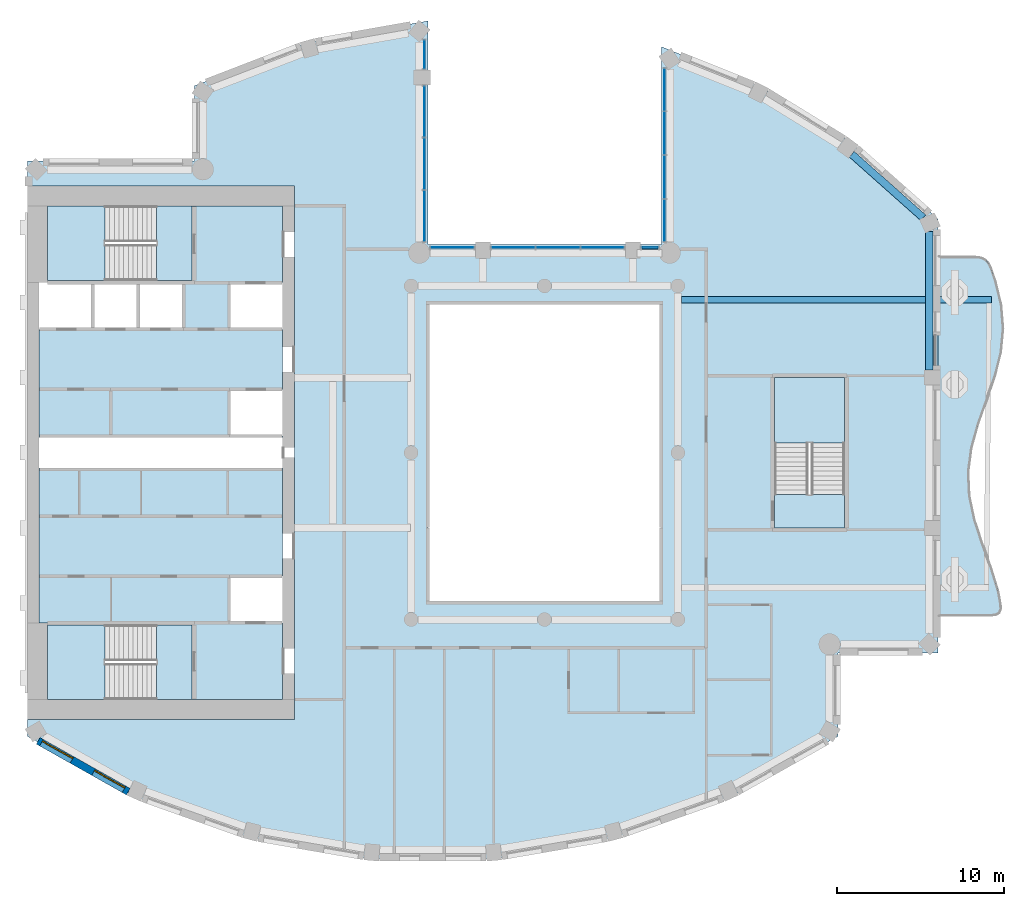
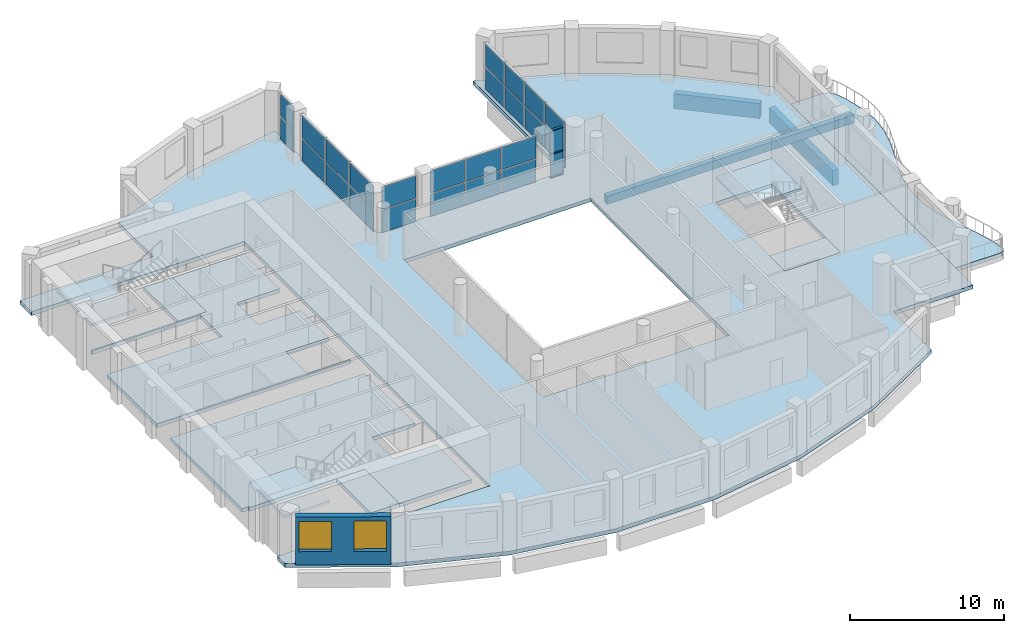
# One storey, part 3 of 14: 26 plates, 10 slabs, 3 beams, 3 members, 2 windows, 1 wall, 2 openings, 9 elements without a shape of their own.
"""IFC4 building model written with IfcOpenShell, lengths in metres."""

from ifc_helpers import new_model, si_unit, direction, frame, frame_2d, origin, origin_2d, place, context, subcontext, project, spatial, polyline, rectangle, outline, extrude, material, layer, layer_set, material_profile, profile_set, type_object, element, fill, aggregate, save


model = new_model("IFC4")

# Units and contexts
model_context = context("Model", 3, precision=1e-05, world=origin(), true_north=direction((0.0, 1.0)))
body_context = subcontext(model_context, "Body", "Model", "MODEL_VIEW")
ifc_project = project(units=[si_unit("LENGTHUNIT", "METRE"), si_unit("AREAUNIT", "SQUARE_METRE"), si_unit("VOLUMEUNIT", "CUBIC_METRE"), si_unit("PLANEANGLEUNIT", "RADIAN"), si_unit("MASSUNIT", "GRAM", prefix="KILO")], contexts=[model_context])

# Site, building, storey
site_placement = place(None, origin())
site = spatial("IfcSite", under=ifc_project, at=site_placement, CompositionType="ELEMENT")
building_placement = place(site_placement, origin())
building = spatial("IfcBuilding", under=site, at=building_placement, Name="Cypress Arch Tower", CompositionType="ELEMENT")
storey_placement = place(building_placement, frame((0.0, 0.0, 272.10009765625)))
storey = spatial("IfcBuildingStorey", under=building, at=storey_placement, Name="L61", CompositionType="ELEMENT", Elevation=272.10009765625)

# Beams
ifc_material_1 = material(Name="Concrete C50/60", Category="concrete")
ifc_material_profile_1 = material_profile(ifc_material_1, rectangle(XDim=0.39990234375, YDim=0.64990234375, at=origin_2d()), Name="RC 400x650")
ifc_profile_set_1 = profile_set([ifc_material_profile_1], Name="Concrete C50/60")
beam_type_1 = type_object("IfcBeamType", Name="Cantilever beam RC 400x650 Concrete C50/60", PredefinedType="BEAM", material=ifc_profile_set_1)
beam_1_placement = place(storey_placement, frame((9.22509765625, 9.1826171875, -0.625), z_axis=(1.0, 0.0, 0.0), x_axis=(0.0, 1.0, 0.0)))
element("IfcBeam", 1, at=beam_1_placement, inside=storey, type_object=beam_type_1, Name="Cantilever beam L61 C17 2", PredefinedType="BEAM", context=body_context, shape_type="SweptSolid", body=[
    extrude(rectangle(XDim=0.39990234375, YDim=0.64990234375, at=origin_2d()), origin(), (0.0, 0.0, 1.0), 18.582275390625),
])
ifc_material_2 = material(Name="Concrete C50/60", Category="concrete")
ifc_material_profile_2 = material_profile(ifc_material_2, rectangle(XDim=0.449951171875, YDim=1.199951171875, at=origin_2d()), Name="RC 450x1200")
ifc_profile_set_2 = profile_set([ifc_material_profile_2], Name="Concrete C50/60")
beam_type_2 = type_object("IfcBeamType", Name="Spandrel beam RC 450x1200 Concrete C50/60", PredefinedType="SPANDREL", material=ifc_profile_set_2)
beam_2_placement = place(storey_placement, frame((24.074951171875, 4.949951171875, -1.550048828125), z_axis=(0.0, 1.0, 0.0), x_axis=(-1.0, 0.0, 0.0)))
element("IfcBeam", 2, at=beam_2_placement, inside=storey, type_object=beam_type_2, Name="Spandrel beam L61 BC17-2", PredefinedType="SPANDREL", context=body_context, shape_type="SweptSolid", body=[
    extrude(rectangle(XDim=0.449951171875, YDim=1.199951171875, at=origin_2d()), origin(), (0.0, 0.0, 1.0), 8.32080078125),
])
beam_3_placement = place(storey_placement, frame((23.706298828125, 14.091796875, -1.550048828125), z_axis=(-0.747555073917, 0.664199827959, 0.0), x_axis=(-0.664199827959, -0.747555073917, 0.0)))
element("IfcBeam", 3, at=beam_3_placement, inside=storey, type_object=beam_type_2, Name="Spandrel beam L61 BC18-0", PredefinedType="SPANDREL", context=body_context, shape_type="SweptSolid", body=[
    extrude(rectangle(XDim=0.449951171875, YDim=1.199951171875, at=origin_2d()), origin(), (0.0, 0.0, 1.0), 5.72900390625),
])

# Curtain wall, members
ifc_material_3 = material(Name="Anodised aluminium, bronze finish, clear laminated double glazing", Category="aluminium")
curtain_wall_type = type_object("IfcCurtainWallType", Name="Curtain wall CW7 slot glazing", PredefinedType="NOTDEFINED", material=ifc_material_3)
curtain_wall_1_placement = place(storey_placement, origin())
curtain_wall_1 = element("IfcCurtainWall", 4, at=curtain_wall_1_placement, inside=storey, type_object=curtain_wall_type, Name="Curtain wall L61 slot C01.0", PredefinedType="NOTDEFINED")
ifc_material_4 = material(Name="Anodised aluminium, bronze finish", Category="aluminium")
ifc_material_profile_3 = material_profile(ifc_material_4, rectangle(XDim=0.179931640625, YDim=0.0849609375, at=origin_2d()), Name="Transom 85x180")
ifc_profile_set_3 = profile_set([ifc_material_profile_3], Name="Anodised aluminium, bronze finish")
member_type = type_object("IfcMemberType", Name="Transom CW7 85x180", PredefinedType="USERDEFINED", material=ifc_profile_set_3)
member_1_placement = place(storey_placement, frame((7.8134765625, 12.300048828125, 0.04248046875), z_axis=(-1.0, 0.0, 0.0), x_axis=(0.0, -1.0, 0.0)))
member_1 = element("IfcMember", 5, at=member_1_placement, type_object=member_type, Name="CW7 transom 1.1", ObjectType="TRANSOM", PredefinedType="USERDEFINED", context=body_context, shape_type="SweptSolid", body=[
    extrude(rectangle(XDim=0.179931640625, YDim=0.0849609375, at=origin_2d()), origin(), (0.0, 0.0, 1.0), 0.978515625),
])
member_2_placement = place(storey_placement, frame((7.8134765625, 12.300048828125, 1.89990234375), z_axis=(-1.0, 0.0, 0.0), x_axis=(0.0, -1.0, 0.0)))
member_2 = element("IfcMember", 6, at=member_2_placement, type_object=member_type, Name="CW7 transom 1.2", ObjectType="TRANSOM", PredefinedType="USERDEFINED", context=body_context, shape_type="SweptSolid", body=[
    extrude(rectangle(XDim=0.179931640625, YDim=0.0849609375, at=origin_2d()), origin(), (0.0, 0.0, 1.0), 0.978515625),
])
member_3_placement = place(storey_placement, frame((7.8134765625, 12.300048828125, 3.75732421875), z_axis=(-1.0, 0.0, 0.0), x_axis=(0.0, -1.0, 0.0)))
member_3 = element("IfcMember", 7, at=member_3_placement, type_object=member_type, Name="CW7 transom 1.3", ObjectType="TRANSOM", PredefinedType="USERDEFINED", context=body_context, shape_type="SweptSolid", body=[
    extrude(rectangle(XDim=0.179931640625, YDim=0.0849609375, at=origin_2d()), origin(), (0.0, 0.0, 1.0), 0.978515625),
])

# Slabs
ifc_material_5 = material(Name="Concrete C40/50", Category="concrete")
ifc_layer_1 = layer(ifc_material_5, 0.300048828125)
ifc_layer_set_1 = layer_set([ifc_layer_1], Name="Balcony slab BS300")
slab_type_1 = type_object("IfcSlabType", Name="Balcony slab BS300", PredefinedType="USERDEFINED", material=ifc_layer_set_1)
slab_1_placement = place(storey_placement, frame((0.0, 0.0, -0.300048828125)))
element("IfcSlab", 8, at=slab_1_placement, inside=storey, type_object=slab_type_1, Name="Balcony slab L61-C17", ObjectType="BALCONY SLAB", PredefinedType="USERDEFINED", context=body_context, shape_type="SweptSolid", body=[
    extrude(outline(polyline([(24.60009765625, -9.75), (27.80908203125, -9.75), (28.088623046875, -9.709716796875), (28.271728515625, -9.5888671875), (28.35888671875, -9.38720703125), (28.349609375, -9.10498046875), (28.20947265625, -8.316650390625), (27.7685546875, -6.88330078125), (27.249755859375, -5.449951171875), (26.77978515625, -4.0166015625), (26.47412109375, -2.583251953125), (26.40771484375, -1.14990234375), (26.596923828125, 0.283447265625), (26.9951171875, 1.716552734375), (27.5048828125, 3.14990234375), (28.001220703125, 4.583251953125), (28.3623046875, 6.0166015625), (28.499755859375, 7.449951171875), (28.3798828125, 8.88330078125), (28.031982421875, 10.316650390625), (27.76220703125, 11.10498046875), (27.623046875, 11.38720703125), (27.42626953125, 11.5888671875), (27.171875, 11.709716796875), (26.85986328125, 11.75), (24.60009765625, 11.75), (24.60009765625, -9.75)])), origin(), (0.0, 0.0, 1.0), 0.300048828125),
])
ifc_material_6 = material(Name="Concrete C40/50", Category="concrete")
ifc_layer_2 = layer(ifc_material_6, 0.300048828125)
ifc_layer_set_2 = layer_set([ifc_layer_2], Name="Core floor CF300")
slab_type_2 = type_object("IfcSlabType", Name="Core floor CF300", PredefinedType="FLOOR", material=ifc_layer_set_2)
slab_2_placement = place(storey_placement, frame((0.0, 0.0, -0.300048828125)))
element("IfcSlab", 9, at=slab_2_placement, inside=storey, type_object=slab_type_2, Name="Core floor", PredefinedType="FLOOR", context=body_context, shape_type="SweptSolid", body=[
    extrude(outline(polyline([(-28.89990234375, -10.199951171875), (-29.300048828125, -10.199951171875), (-29.300048828125, -0.89990234375), (-28.89990234375, -0.89990234375), (-15.10009765625, -0.89990234375), (-14.699951171875, -0.89990234375), (-14.699951171875, -7.39990234375), (-15.10009765625, -7.39990234375), (-17.919921875, -7.39990234375), (-17.919921875, -10.199951171875), (-15.10009765625, -10.199951171875), (-14.699951171875, -10.199951171875), (-14.699951171875, -14.800048828125), (-15.10009765625, -14.800048828125), (-20.125, -14.800048828125), (-20.125, -10.324951171875), (-22.27490234375, -10.324951171875), (-28.800048828125, -10.324951171875), (-28.800048828125, -10.199951171875), (-28.89990234375, -10.199951171875)])), origin(), (0.0, 0.0, 1.0), 0.300048828125),
])
slab_3_placement = place(storey_placement, frame((0.0, 0.0, -0.300048828125)))
element("IfcSlab", 10, at=slab_3_placement, inside=storey, type_object=slab_type_2, Name="Core floor", PredefinedType="FLOOR", context=body_context, shape_type="SweptSolid", body=[
    extrude(outline(polyline([(-22.27490234375, -10.324951171875), (-22.27490234375, -14.800048828125), (-20.125, -14.800048828125), (-20.125, -10.324951171875), (-22.27490234375, -10.324951171875)])), origin(), (0.0, 0.0, 1.0), 0.300048828125),
])
slab_4_placement = place(storey_placement, frame((0.0, 0.0, -0.300048828125)))
element("IfcSlab", 11, at=slab_4_placement, inside=storey, type_object=slab_type_2, Name="Core floor", PredefinedType="FLOOR", context=body_context, shape_type="SweptSolid", body=[
    extrude(outline(polyline([(-20.125, 14.800048828125), (-22.27490234375, 14.800048828125), (-22.27490234375, 10.324951171875), (-20.125, 10.324951171875), (-20.125, 14.800048828125)])), origin(), (0.0, 0.0, 1.0), 0.300048828125),
])
slab_5_placement = place(storey_placement, frame((0.0, 0.0, -0.300048828125)))
element("IfcSlab", 12, at=slab_5_placement, inside=storey, type_object=slab_type_2, Name="Stair floor landing", PredefinedType="FLOOR", context=body_context, shape_type="SweptSolid", body=[
    extrude(outline(polyline([(19.0, -4.5), (19.0, -2.5), (14.800048828125, -2.5), (14.800048828125, -4.5), (19.0, -4.5)])), origin(), (0.0, 0.0, 1.0), 0.300048828125),
])
slab_6_placement = place(storey_placement, frame((0.0, 0.0, -0.300048828125)))
element("IfcSlab", 13, at=slab_6_placement, inside=storey, type_object=slab_type_2, Name="Core floor", PredefinedType="FLOOR", context=body_context, shape_type="SweptSolid", body=[
    extrude(outline(polyline([(-20.639892578125, 10.199951171875), (-23.360107421875, 10.199951171875), (-26.080078125, 10.199951171875), (-28.800048828125, 10.199951171875), (-28.800048828125, 10.324951171875), (-22.27490234375, 10.324951171875), (-20.125, 10.324951171875), (-20.125, 14.800048828125), (-15.10009765625, 14.800048828125), (-14.699951171875, 14.800048828125), (-14.699951171875, 10.199951171875), (-15.10009765625, 10.199951171875), (-17.919921875, 10.199951171875), (-17.919921875, 7.39990234375), (-15.10009765625, 7.39990234375), (-14.699951171875, 7.39990234375), (-14.699951171875, 3.800048828125), (-15.10009765625, 3.800048828125), (-17.919921875, 3.800048828125), (-17.919921875, 1.5), (-17.919921875, 1.0), (-17.5, 1.0), (-15.10009765625, 1.0), (-14.699951171875, 1.0), (-14.699951171875, 0.89990234375), (-15.10009765625, 0.89990234375), (-17.5, 0.89990234375), (-18.300048828125, 0.89990234375), (-28.89990234375, 0.89990234375), (-29.300048828125, 0.89990234375), (-29.300048828125, 1.5), (-29.300048828125, 7.39990234375), (-28.89990234375, 7.39990234375), (-26.080078125, 7.39990234375), (-23.360107421875, 7.39990234375), (-20.639892578125, 7.39990234375), (-20.639892578125, 10.199951171875)])), origin(), (0.0, 0.0, 1.0), 0.300048828125),
])

# Curtain wall, plates
curtain_wall_2_placement = place(storey_placement, origin())
curtain_wall_2 = element("IfcCurtainWall", 14, at=curtain_wall_2_placement, inside=storey, type_object=curtain_wall_type, Name="Curtain wall L61 slot C00.0", PredefinedType="NOTDEFINED")
ifc_material_7 = material(Name="Clear laminated double glazing", Category="glass")
ifc_layer_3 = layer(ifc_material_7, 0.0439453125)
ifc_layer_set_3 = layer_set([ifc_layer_3], Name="Glass panel CW7 44")
plate_type = type_object("IfcPlateType", Name="Glass panel CW7 44", PredefinedType="CURTAIN_PANEL", material=ifc_layer_set_3)
plate_1_placement = place(storey_placement, frame((8.199951171875, 21.768798828125, 0.0849609375), z_axis=(0.0, 0.0, 1.0), x_axis=(0.0, -1.0, 0.0)))
plate_1 = element("IfcPlate", 15, at=plate_1_placement, type_object=plate_type, Name="CW7 panel 1.1", PredefinedType="CURTAIN_PANEL", context=body_context, shape_type="SweptSolid", body=[
    extrude(rectangle(XDim=2.497802734375, YDim=0.0439453125, at=origin_2d()), origin(), (0.0, 0.0, 1.0), 1.7724609375),
])
plate_2_placement = place(storey_placement, frame((8.199951171875, 21.768798828125, 1.9423828125), z_axis=(0.0, 0.0, 1.0), x_axis=(0.0, -1.0, 0.0)))
plate_2 = element("IfcPlate", 16, at=plate_2_placement, type_object=plate_type, Name="CW7 panel 1.2", PredefinedType="CURTAIN_PANEL", context=body_context, shape_type="SweptSolid", body=[
    extrude(rectangle(XDim=2.497802734375, YDim=0.0439453125, at=origin_2d()), origin(), (0.0, 0.0, 1.0), 1.7724609375),
])
plate_3_placement = place(storey_placement, frame((8.199951171875, 19.164794921875, 0.0849609375), z_axis=(0.0, 0.0, 1.0), x_axis=(0.0, -1.0, 0.0)))
plate_3 = element("IfcPlate", 17, at=plate_3_placement, type_object=plate_type, Name="CW7 panel 2.1", PredefinedType="CURTAIN_PANEL", context=body_context, shape_type="SweptSolid", body=[
    extrude(rectangle(XDim=2.540283203125, YDim=0.0439453125, at=origin_2d()), origin(), (0.0, 0.0, 1.0), 1.7724609375),
])
plate_4_placement = place(storey_placement, frame((8.199951171875, 19.164794921875, 1.9423828125), z_axis=(0.0, 0.0, 1.0), x_axis=(0.0, -1.0, 0.0)))
plate_4 = element("IfcPlate", 18, at=plate_4_placement, type_object=plate_type, Name="CW7 panel 2.2", PredefinedType="CURTAIN_PANEL", context=body_context, shape_type="SweptSolid", body=[
    extrude(rectangle(XDim=2.540283203125, YDim=0.0439453125, at=origin_2d()), origin(), (0.0, 0.0, 1.0), 1.7724609375),
])
plate_5_placement = place(storey_placement, frame((8.199951171875, 16.53955078125, 0.0849609375), z_axis=(0.0, 0.0, 1.0), x_axis=(0.0, -1.0, 0.0)))
plate_5 = element("IfcPlate", 19, at=plate_5_placement, type_object=plate_type, Name="CW7 panel 3.1", PredefinedType="CURTAIN_PANEL", context=body_context, shape_type="SweptSolid", body=[
    extrude(rectangle(XDim=2.540283203125, YDim=0.0439453125, at=origin_2d()), origin(), (0.0, 0.0, 1.0), 1.7724609375),
])
plate_6_placement = place(storey_placement, frame((8.199951171875, 16.53955078125, 1.9423828125), z_axis=(0.0, 0.0, 1.0), x_axis=(0.0, -1.0, 0.0)))
plate_6 = element("IfcPlate", 20, at=plate_6_placement, type_object=plate_type, Name="CW7 panel 3.2", PredefinedType="CURTAIN_PANEL", context=body_context, shape_type="SweptSolid", body=[
    extrude(rectangle(XDim=2.540283203125, YDim=0.0439453125, at=origin_2d()), origin(), (0.0, 0.0, 1.0), 1.7724609375),
])
plate_7_placement = place(storey_placement, frame((8.199951171875, 13.935302734375, 0.0849609375), z_axis=(0.0, 0.0, 1.0), x_axis=(0.0, -1.0, 0.0)))
plate_7 = element("IfcPlate", 21, at=plate_7_placement, type_object=plate_type, Name="CW7 panel 4.1", PredefinedType="CURTAIN_PANEL", context=body_context, shape_type="SweptSolid", body=[
    extrude(rectangle(XDim=2.497802734375, YDim=0.0439453125, at=origin_2d()), origin(), (0.0, 0.0, 1.0), 1.7724609375),
])
plate_8_placement = place(storey_placement, frame((8.199951171875, 13.935302734375, 1.9423828125), z_axis=(0.0, 0.0, 1.0), x_axis=(0.0, -1.0, 0.0)))
plate_8 = element("IfcPlate", 22, at=plate_8_placement, type_object=plate_type, Name="CW7 panel 4.2", PredefinedType="CURTAIN_PANEL", context=body_context, shape_type="SweptSolid", body=[
    extrude(rectangle(XDim=2.497802734375, YDim=0.0439453125, at=origin_2d()), origin(), (0.0, 0.0, 1.0), 1.7724609375),
])
aggregate(curtain_wall_2, [plate_1, plate_2, plate_3, plate_4, plate_5, plate_6, plate_7, plate_8])

# Plate
plate_9_placement = place(storey_placement, frame((7.32421875, 12.300048828125, 0.0849609375), z_axis=(0.0, 0.0, 1.0), x_axis=(-1.0, 0.0, 0.0)))
plate_9 = element("IfcPlate", 23, at=plate_9_placement, type_object=plate_type, Name="CW7 panel 1.1", PredefinedType="CURTAIN_PANEL", context=body_context, shape_type="SweptSolid", body=[
    extrude(rectangle(XDim=0.978515625, YDim=0.0439453125, at=origin_2d()), origin(), (0.0, 0.0, 1.0), 1.7724609375),
])

plate_10_placement = place(storey_placement, frame((7.32421875, 12.300048828125, 1.9423828125), z_axis=(0.0, 0.0, 1.0), x_axis=(-1.0, 0.0, 0.0)))
plate_10 = element("IfcPlate", 24, at=plate_10_placement, type_object=plate_type, Name="CW7 panel 1.2", PredefinedType="CURTAIN_PANEL", context=body_context, shape_type="SweptSolid", body=[
    extrude(rectangle(XDim=0.978515625, YDim=0.0439453125, at=origin_2d()), origin(), (0.0, 0.0, 1.0), 1.7724609375),
])

aggregate(curtain_wall_1, [member_1, member_2, member_3, plate_9, plate_10])

# Curtain wall, plates
curtain_wall_3_placement = place(storey_placement, origin())
curtain_wall_3 = element("IfcCurtainWall", 25, at=curtain_wall_3_placement, inside=storey, type_object=curtain_wall_type, Name="Curtain wall L61 slot C01.1", PredefinedType="NOTDEFINED")
plate_11_placement = place(storey_placement, frame((4.478759765625, 12.300048828125, 0.0849609375), z_axis=(0.0, 0.0, 1.0), x_axis=(-1.0, 0.0, 0.0)))
plate_11 = element("IfcPlate", 26, at=plate_11_placement, type_object=plate_type, Name="CW7 panel 1.1", PredefinedType="CURTAIN_PANEL", context=body_context, shape_type="SweptSolid", body=[
    extrude(rectangle(XDim=2.572509765625, YDim=0.0439453125, at=origin_2d()), origin(), (0.0, 0.0, 1.0), 1.7724609375),
])
plate_12_placement = place(storey_placement, frame((4.478759765625, 12.300048828125, 1.9423828125), z_axis=(0.0, 0.0, 1.0), x_axis=(-1.0, 0.0, 0.0)))
plate_12 = element("IfcPlate", 27, at=plate_12_placement, type_object=plate_type, Name="CW7 panel 1.2", PredefinedType="CURTAIN_PANEL", context=body_context, shape_type="SweptSolid", body=[
    extrude(rectangle(XDim=2.572509765625, YDim=0.0439453125, at=origin_2d()), origin(), (0.0, 0.0, 1.0), 1.7724609375),
])
plate_13_placement = place(storey_placement, frame((1.800048828125, 12.300048828125, 0.0849609375), z_axis=(0.0, 0.0, 1.0), x_axis=(-1.0, 0.0, 0.0)))
plate_13 = element("IfcPlate", 28, at=plate_13_placement, type_object=plate_type, Name="CW7 panel 2.1", PredefinedType="CURTAIN_PANEL", context=body_context, shape_type="SweptSolid", body=[
    extrude(rectangle(XDim=2.614990234375, YDim=0.0439453125, at=origin_2d()), origin(), (0.0, 0.0, 1.0), 1.7724609375),
])
plate_14_placement = place(storey_placement, frame((1.800048828125, 12.300048828125, 1.9423828125), z_axis=(0.0, 0.0, 1.0), x_axis=(-1.0, 0.0, 0.0)))
plate_14 = element("IfcPlate", 29, at=plate_14_placement, type_object=plate_type, Name="CW7 panel 2.2", PredefinedType="CURTAIN_PANEL", context=body_context, shape_type="SweptSolid", body=[
    extrude(rectangle(XDim=2.614990234375, YDim=0.0439453125, at=origin_2d()), origin(), (0.0, 0.0, 1.0), 1.7724609375),
])
plate_15_placement = place(storey_placement, frame((-0.878662109375, 12.300048828125, 0.0849609375), z_axis=(0.0, 0.0, 1.0), x_axis=(-1.0, 0.0, 0.0)))
plate_15 = element("IfcPlate", 30, at=plate_15_placement, type_object=plate_type, Name="CW7 panel 3.1", PredefinedType="CURTAIN_PANEL", context=body_context, shape_type="SweptSolid", body=[
    extrude(rectangle(XDim=2.572509765625, YDim=0.0439453125, at=origin_2d()), origin(), (0.0, 0.0, 1.0), 1.7724609375),
])
plate_16_placement = place(storey_placement, frame((-0.878662109375, 12.300048828125, 1.9423828125), z_axis=(0.0, 0.0, 1.0), x_axis=(-1.0, 0.0, 0.0)))
plate_16 = element("IfcPlate", 31, at=plate_16_placement, type_object=plate_type, Name="CW7 panel 3.2", PredefinedType="CURTAIN_PANEL", context=body_context, shape_type="SweptSolid", body=[
    extrude(rectangle(XDim=2.572509765625, YDim=0.0439453125, at=origin_2d()), origin(), (0.0, 0.0, 1.0), 1.7724609375),
])
aggregate(curtain_wall_3, [plate_11, plate_12, plate_13, plate_14, plate_15, plate_16])

curtain_wall_4_placement = place(storey_placement, origin())
curtain_wall_4 = element("IfcCurtainWall", 32, at=curtain_wall_4_placement, inside=storey, type_object=curtain_wall_type, Name="Curtain wall L61 slot C01.2", PredefinedType="NOTDEFINED")
plate_17_placement = place(storey_placement, frame((-4.524169921875, 12.300048828125, 0.0849609375), z_axis=(0.0, 0.0, 1.0), x_axis=(-1.0, 0.0, 0.0)))
plate_17 = element("IfcPlate", 33, at=plate_17_placement, type_object=plate_type, Name="CW7 panel 1.1", PredefinedType="CURTAIN_PANEL", context=body_context, shape_type="SweptSolid", body=[
    extrude(rectangle(XDim=2.57861328125, YDim=0.0439453125, at=origin_2d()), origin(), (0.0, 0.0, 1.0), 1.7724609375),
])
plate_18_placement = place(storey_placement, frame((-4.524169921875, 12.300048828125, 1.9423828125), z_axis=(0.0, 0.0, 1.0), x_axis=(-1.0, 0.0, 0.0)))
plate_18 = element("IfcPlate", 34, at=plate_18_placement, type_object=plate_type, Name="CW7 panel 1.2", PredefinedType="CURTAIN_PANEL", context=body_context, shape_type="SweptSolid", body=[
    extrude(rectangle(XDim=2.57861328125, YDim=0.0439453125, at=origin_2d()), origin(), (0.0, 0.0, 1.0), 1.7724609375),
])
aggregate(curtain_wall_4, [plate_17, plate_18])

curtain_wall_5_placement = place(storey_placement, origin())
curtain_wall_5 = element("IfcCurtainWall", 35, at=curtain_wall_5_placement, inside=storey, type_object=curtain_wall_type, Name="Curtain wall L61 slot C02.0", PredefinedType="NOTDEFINED")
plate_19_placement = place(storey_placement, frame((-6.199951171875, 14.197509765625, 0.0849609375), z_axis=(0.0, 0.0, 1.0), x_axis=(0.0, 1.0, 0.0)))
plate_19 = element("IfcPlate", 36, at=plate_19_placement, type_object=plate_type, Name="CW7 panel 1.1", PredefinedType="CURTAIN_PANEL", context=body_context, shape_type="SweptSolid", body=[
    extrude(rectangle(XDim=3.02197265625, YDim=0.0439453125, at=origin_2d()), origin(), (0.0, 0.0, 1.0), 1.7724609375),
])
plate_20_placement = place(storey_placement, frame((-6.199951171875, 14.197509765625, 1.9423828125), z_axis=(0.0, 0.0, 1.0), x_axis=(0.0, 1.0, 0.0)))
plate_20 = element("IfcPlate", 37, at=plate_20_placement, type_object=plate_type, Name="CW7 panel 1.2", PredefinedType="CURTAIN_PANEL", context=body_context, shape_type="SweptSolid", body=[
    extrude(rectangle(XDim=3.02197265625, YDim=0.0439453125, at=origin_2d()), origin(), (0.0, 0.0, 1.0), 1.7724609375),
])
plate_21_placement = place(storey_placement, frame((-6.199951171875, 17.32568359375, 0.0849609375), z_axis=(0.0, 0.0, 1.0), x_axis=(0.0, 1.0, 0.0)))
plate_21 = element("IfcPlate", 38, at=plate_21_placement, type_object=plate_type, Name="CW7 panel 2.1", PredefinedType="CURTAIN_PANEL", context=body_context, shape_type="SweptSolid", body=[
    extrude(rectangle(XDim=3.064453125, YDim=0.0439453125, at=origin_2d()), origin(), (0.0, 0.0, 1.0), 1.7724609375),
])
plate_22_placement = place(storey_placement, frame((-6.199951171875, 17.32568359375, 1.9423828125), z_axis=(0.0, 0.0, 1.0), x_axis=(0.0, 1.0, 0.0)))
plate_22 = element("IfcPlate", 39, at=plate_22_placement, type_object=plate_type, Name="CW7 panel 2.2", PredefinedType="CURTAIN_PANEL", context=body_context, shape_type="SweptSolid", body=[
    extrude(rectangle(XDim=3.064453125, YDim=0.0439453125, at=origin_2d()), origin(), (0.0, 0.0, 1.0), 1.7724609375),
])
plate_23_placement = place(storey_placement, frame((-6.199951171875, 20.4541015625, 0.0849609375), z_axis=(0.0, 0.0, 1.0), x_axis=(0.0, 1.0, 0.0)))
plate_23 = element("IfcPlate", 40, at=plate_23_placement, type_object=plate_type, Name="CW7 panel 3.1", PredefinedType="CURTAIN_PANEL", context=body_context, shape_type="SweptSolid", body=[
    extrude(rectangle(XDim=3.02197265625, YDim=0.0439453125, at=origin_2d()), origin(), (0.0, 0.0, 1.0), 1.7724609375),
])
plate_24_placement = place(storey_placement, frame((-6.199951171875, 20.4541015625, 1.9423828125), z_axis=(0.0, 0.0, 1.0), x_axis=(0.0, 1.0, 0.0)))
plate_24 = element("IfcPlate", 41, at=plate_24_placement, type_object=plate_type, Name="CW7 panel 3.2", PredefinedType="CURTAIN_PANEL", context=body_context, shape_type="SweptSolid", body=[
    extrude(rectangle(XDim=3.02197265625, YDim=0.0439453125, at=origin_2d()), origin(), (0.0, 0.0, 1.0), 1.7724609375),
])
aggregate(curtain_wall_5, [plate_19, plate_20, plate_21, plate_22, plate_23, plate_24])

curtain_wall_6_placement = place(storey_placement, origin())
curtain_wall_6 = element("IfcCurtainWall", 42, at=curtain_wall_6_placement, inside=storey, type_object=curtain_wall_type, Name="Curtain wall L61 slot C02.1", PredefinedType="NOTDEFINED")
plate_25_placement = place(storey_placement, frame((-6.199951171875, 23.89111328125, 0.0849609375), z_axis=(0.0, 0.0, 1.0), x_axis=(0.0, 1.0, 0.0)))
plate_25 = element("IfcPlate", 43, at=plate_25_placement, type_object=plate_type, Name="CW7 panel 1.1", PredefinedType="CURTAIN_PANEL", context=body_context, shape_type="SweptSolid", body=[
    extrude(rectangle(XDim=1.71240234375, YDim=0.0439453125, at=origin_2d()), origin(), (0.0, 0.0, 1.0), 1.7724609375),
])
plate_26_placement = place(storey_placement, frame((-6.199951171875, 23.89111328125, 1.9423828125), z_axis=(0.0, 0.0, 1.0), x_axis=(0.0, 1.0, 0.0)))
plate_26 = element("IfcPlate", 44, at=plate_26_placement, type_object=plate_type, Name="CW7 panel 1.2", PredefinedType="CURTAIN_PANEL", context=body_context, shape_type="SweptSolid", body=[
    extrude(rectangle(XDim=1.71240234375, YDim=0.0439453125, at=origin_2d()), origin(), (0.0, 0.0, 1.0), 1.7724609375),
])
aggregate(curtain_wall_6, [plate_25, plate_26])

# Slab
ifc_material_8 = material(Name="Concrete C40/50", Category="concrete")
ifc_layer_4 = layer(ifc_material_8, 0.300048828125)
ifc_layer_set_4 = layer_set([ifc_layer_4], Name="PT flat slab 300 Concrete C40/50")
slab_type_3 = type_object("IfcSlabType", Name="PT flat slab 300 Concrete C40/50", PredefinedType="FLOOR", material=ifc_layer_set_4)
slab_7_placement = place(storey_placement, frame((0.0, 0.0, -0.300048828125)))
element("IfcSlab", 45, at=slab_7_placement, inside=storey, type_object=slab_type_3, Name="Floor slab L61", PredefinedType="FLOOR", context=body_context, shape_type="SweptSolid", body=[
    extrude(outline(polyline([(-30.0, 17.5), (-20.0, 17.5), (-20.0, 22.0), (-13.199951171875, 24.6201171875), (-6.0, 25.889892578125), (-6.0, 12.5), (8.0, 12.5), (8.0, 24.35009765625), (14.0, 21.93994140625), (19.39990234375, 18.6201171875), (24.60009765625, 14.0), (24.60009765625, -12.0), (18.60009765625, -12.0), (18.60009765625, -17.0), (12.179931640625, -20.6201171875), (5.239990234375, -23.090087890625), (-2.02001953125, -24.340087890625), (-9.3798828125, -24.340087890625), (-16.639892578125, -23.090087890625), (-23.580078125, -20.6201171875), (-30.0, -17.0), (-30.0, -16.0), (-14.0, -16.0), (-14.0, 16.0), (-30.0, 16.0), (-30.0, 17.5)]), holes=[polyline([(-6.0, -9.0), (8.0, -9.0), (8.0, 9.0), (-6.0, 9.0), (-6.0, -9.0)]), polyline([(14.800048828125, -4.5), (19.0, -4.5), (19.0, 4.5), (14.800048828125, 4.5), (14.800048828125, -4.5)])]), origin(), (0.0, 0.0, 1.0), 0.300048828125),
])

# Stair, slab
ifc_material_9 = material(Name="Concrete C40/50", Category="concrete")
stair_type_1 = type_object("IfcStairType", Name="Exit stair ES1708-215", PredefinedType="HALF_TURN_STAIR", material=ifc_material_9)
stair_1_placement = place(storey_placement, origin())
stair_1 = element("IfcStair", 46, at=stair_1_placement, inside=storey, type_object=stair_type_1, Name="L61 Exit stair A", PredefinedType="HALF_TURN_STAIR")
ifc_material_10 = material(Name="Concrete C40/50", Category="concrete")
ifc_layer_5 = layer(ifc_material_10, 0.199951171875)
ifc_layer_set_5 = layer_set([ifc_layer_5], Name="Stair landing SL200")
slab_type_4 = type_object("IfcSlabType", Name="Stair landing SL200", PredefinedType="LANDING", material=ifc_layer_set_5)
slab_8_placement = place(storey_placement, frame((0.0, 0.0, 1.849853515625)))
slab_8 = element("IfcSlab", 47, at=slab_8_placement, type_object=slab_type_4, Name="A landing 1", PredefinedType="LANDING", context=body_context, shape_type="SweptSolid", body=[
    extrude(outline(polyline([(-25.35498046875, -10.324951171875), (-28.800048828125, -10.324951171875), (-28.800048828125, -14.800048828125), (-25.35498046875, -14.800048828125), (-25.35498046875, -10.324951171875)])), origin(), (0.0, 0.0, 1.0), 0.199951171875),
])
aggregate(stair_1, [slab_8])

stair_2_placement = place(storey_placement, origin())
stair_2 = element("IfcStair", 48, at=stair_2_placement, inside=storey, type_object=stair_type_1, Name="L61 Exit stair B", PredefinedType="HALF_TURN_STAIR")
slab_9_placement = place(storey_placement, frame((0.0, 0.0, 1.849853515625)))
slab_9 = element("IfcSlab", 49, at=slab_9_placement, type_object=slab_type_4, Name="B landing 1", PredefinedType="LANDING", context=body_context, shape_type="SweptSolid", body=[
    extrude(outline(polyline([(-25.35498046875, 14.800048828125), (-28.800048828125, 14.800048828125), (-28.800048828125, 10.324951171875), (-25.35498046875, 10.324951171875), (-25.35498046875, 14.800048828125)])), origin(), (0.0, 0.0, 1.0), 0.199951171875),
])
aggregate(stair_2, [slab_9])

ifc_material_11 = material(Name="Concrete C40/50", Category="concrete")
stair_type_2 = type_object("IfcStairType", Name="Exit stair ES1708-200", PredefinedType="HALF_TURN_STAIR", material=ifc_material_11)
stair_3_placement = place(storey_placement, origin())
stair_3 = element("IfcStair", 50, at=stair_3_placement, inside=storey, type_object=stair_type_2, Name="L61 Exit stair C", PredefinedType="HALF_TURN_STAIR")
slab_10_placement = place(storey_placement, frame((0.0, 0.0, 1.849853515625)))
slab_10 = element("IfcSlab", 51, at=slab_10_placement, type_object=slab_type_4, Name="C landing 1", PredefinedType="LANDING", context=body_context, shape_type="SweptSolid", body=[
    extrude(outline(polyline([(19.0, 0.580078125), (19.0, 4.5), (14.800048828125, 4.5), (14.800048828125, 0.580078125), (19.0, 0.580078125)])), origin(), (0.0, 0.0, 1.0), 0.199951171875),
])
aggregate(stair_3, [slab_10])

# Wall, openings, windows
ifc_material_12 = material(Name="Brick (red buff blend)", Category="masonry")
ifc_layer_6 = layer(ifc_material_12, 0.449951171875)
ifc_layer_set_6 = layer_set([ifc_layer_6], Name="Brick pier and spandrel wall BW450")
wall_type = type_object("IfcWallType", Name="Brick pier and spandrel wall BW450", PredefinedType="SOLIDWALL", material=ifc_layer_set_6)
wall_placement = place(storey_placement, frame((-29.3564453125, -17.276611328125, 0.0), z_axis=(0.0, 0.0, 1.0), x_axis=(0.871065783524, -0.491166367714, 0.0)))
wall = element("IfcWall", 52, at=wall_placement, inside=storey, type_object=wall_type, Name="Brick wall L61 C08.0", PredefinedType="SOLIDWALL", context=body_context, shape_type="SweptSolid", body=[
    extrude(rectangle(XDim=6.1962890625, YDim=0.449951171875, at=frame_2d((3.09814453125, 0.0))), origin(), (0.0, 0.0, 1.0), 3.7998046875),
])
opening_1_placement = place(wall_placement, frame((0.22119140625, 0.0, 1.050048828125)))
opening_1 = element("IfcOpeningElement", 53, at=opening_1_placement, cuts=wall, Name="Opening W210O", PredefinedType="OPENING", context=body_context, shape_type="SweptSolid", body=[
    extrude(rectangle(XDim=2.10009765625, YDim=2.39990234375, at=frame_2d((1.050048828125, 1.199951171875))), frame((0.0, 0.23486328125, 0.0), z_axis=(0.0, -1.0, 0.0), x_axis=(1.0, 0.0, 0.0)), (0.0, 0.0, 1.0), 0.469970703125),
])
opening_2_placement = place(wall_placement, frame((3.8056640625, 0.0, 1.050048828125)))
opening_2 = element("IfcOpeningElement", 54, at=opening_2_placement, cuts=wall, Name="Opening W210O", PredefinedType="OPENING", context=body_context, shape_type="SweptSolid", body=[
    extrude(rectangle(XDim=2.10009765625, YDim=2.39990234375, at=frame_2d((1.050048828125, 1.199951171875))), frame((0.0, 0.23486328125, 0.0), z_axis=(0.0, -1.0, 0.0), x_axis=(1.0, 0.0, 0.0)), (0.0, 0.0, 1.0), 0.469970703125),
])
ifc_material_13 = material(Name="Anodised aluminium, bronze finish, clear low-emissivity double glazing", Category="aluminium")
window_type = type_object("IfcWindowType", Name="Window Office 2100x2400", PartitioningType="SINGLE_PANEL", PredefinedType="WINDOW", material=ifc_material_13)
window_1_placement = place(opening_1_placement, origin())
window_1 = element("IfcWindow", 55, at=window_1_placement, inside=storey, type_object=window_type, Name="Window L61 C08.0.1", OverallHeight=2.39990234375, OverallWidth=2.10009765625, PartitioningType="SINGLE_PANEL", PredefinedType="WINDOW", context=body_context, shape_type="SweptSolid", body=[
    extrude(rectangle(XDim=2.10009765625, YDim=2.39990234375, at=frame_2d((1.050048828125, 1.199951171875))), frame((0.0, 0.135009765625, 0.0), z_axis=(0.0, -1.0, 0.0), x_axis=(1.0, 0.0, 0.0)), (0.0, 0.0, 1.0), 0.06005859375),
])
fill(opening_1, window_1)
window_2_placement = place(opening_2_placement, origin())
window_2 = element("IfcWindow", 56, at=window_2_placement, inside=storey, type_object=window_type, Name="Window L61 C08.0.2", OverallHeight=2.39990234375, OverallWidth=2.10009765625, PartitioningType="SINGLE_PANEL", PredefinedType="WINDOW", context=body_context, shape_type="SweptSolid", body=[
    extrude(rectangle(XDim=2.10009765625, YDim=2.39990234375, at=frame_2d((1.050048828125, 1.199951171875))), frame((0.0, 0.135009765625, 0.0), z_axis=(0.0, -1.0, 0.0), x_axis=(1.0, 0.0, 0.0)), (0.0, 0.0, 1.0), 0.06005859375),
])
fill(opening_2, window_2)

save(model, "model.ifc")
